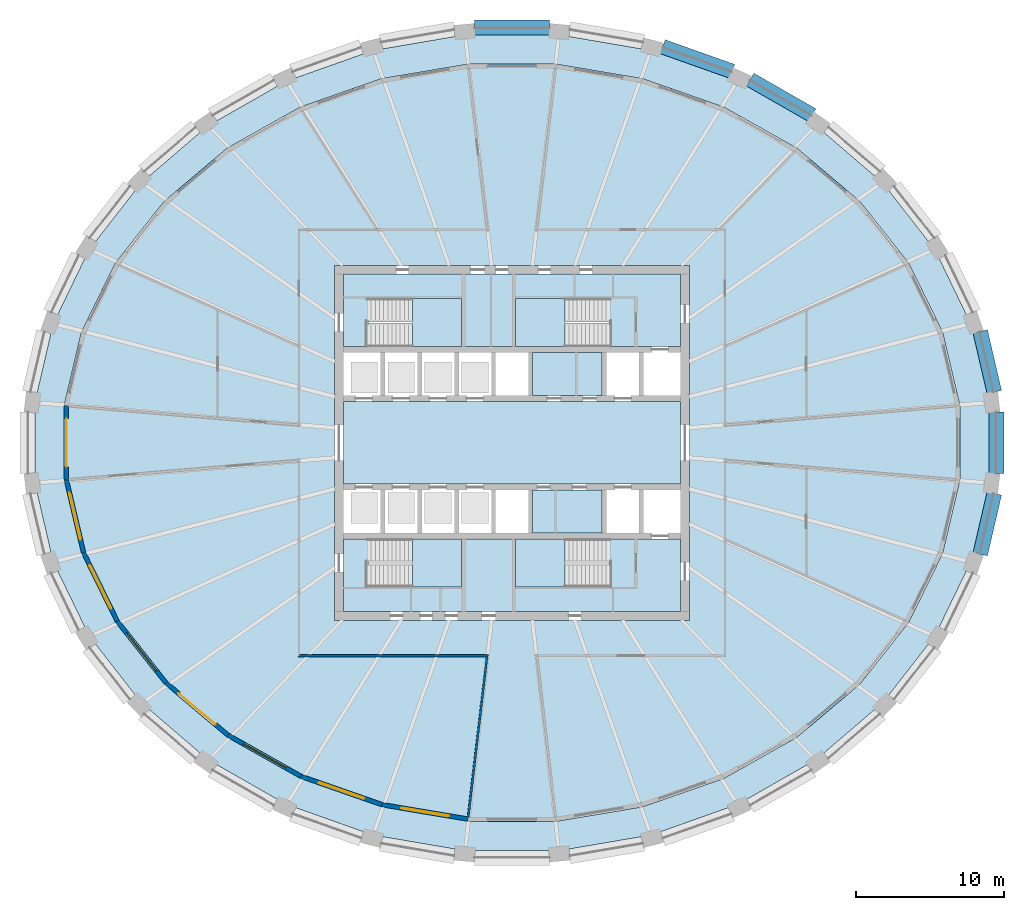
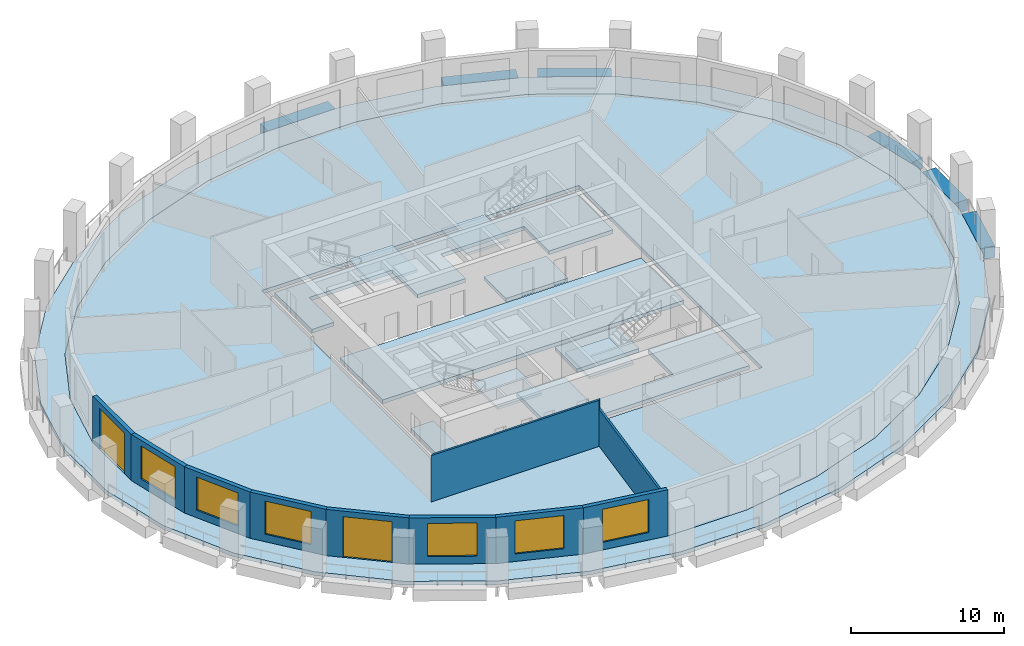
# One storey, part 2 of 10: 11 slabs, 10 walls, 6 beams, 6 windows, 2 doors, 8 openings, 4 elements without a shape of their own.
"""IFC4 building model written with IfcOpenShell, lengths in metres."""

from ifc_helpers import new_model, si_unit, direction, frame, frame_2d, origin, origin_2d, place, context, subcontext, project, spatial, polyline, rectangle, outline, extrude, material, layer, layer_set, material_profile, profile_set, type_object, element, fill, aggregate, save


model = new_model("IFC4")

# Units and contexts
model_context = context("Model", 3, precision=1e-05, world=origin(), true_north=direction((0.0, 1.0)))
body_context = subcontext(model_context, "Body", "Model", "MODEL_VIEW")
ifc_project = project(units=[si_unit("LENGTHUNIT", "METRE"), si_unit("AREAUNIT", "SQUARE_METRE"), si_unit("VOLUMEUNIT", "CUBIC_METRE"), si_unit("PLANEANGLEUNIT", "RADIAN"), si_unit("MASSUNIT", "GRAM", prefix="KILO")], contexts=[model_context])

# Site, building, storey
site_placement = place(None, origin())
site = spatial("IfcSite", under=ifc_project, at=site_placement, CompositionType="ELEMENT")
building_placement = place(site_placement, origin())
building = spatial("IfcBuilding", under=site, at=building_placement, Name="Halqa Exchange Tower", CompositionType="ELEMENT")
storey_placement = place(building_placement, frame((0.0, 0.0, 186.89990234375)))
storey = spatial("IfcBuildingStorey", under=building, at=storey_placement, Name="L42", CompositionType="ELEMENT", Elevation=186.89990234375)

# Beams
ifc_material_1 = material(Name="Concrete C60/75", Category="concrete")
ifc_material_profile = material_profile(ifc_material_1, rectangle(XDim=1.0, YDim=0.89990234375, at=origin_2d()), Name="1000 x 900")
ifc_profile_set = profile_set([ifc_material_profile], Name="Concrete C60/75")
beam_type = type_object("IfcBeamType", Name="RC spandrel beam 1000 x 900 C60/75", PredefinedType="SPANDREL", material=ifc_profile_set)
beam_1_placement = place(storey_placement, frame((32.60986328125, 3.424072265625, -0.449951171875), z_axis=(-0.226085562034, 0.974107447174, 0.0), x_axis=(-0.974107447174, -0.226085562034, 0.0)))
element("IfcBeam", 1, at=beam_1_placement, inside=storey, type_object=beam_type, Name="Spandrel 1", PredefinedType="SPANDREL", context=body_context, shape_type="SweptSolid", body=[
    extrude(rectangle(XDim=1.0, YDim=0.89990234375, at=origin_2d()), origin(), (0.0, 0.0, 1.0), 4.216796875),
])
beam_2_placement = place(storey_placement, frame((20.29931640625, 22.148193359375, -0.449951171875), z_axis=(-0.867742419962, 0.497014177462, 0.0), x_axis=(-0.497014177462, -0.867742419962, 0.0)))
element("IfcBeam", 2, at=beam_2_placement, inside=storey, type_object=beam_type, Name="Spandrel 5", PredefinedType="SPANDREL", context=body_context, shape_type="SweptSolid", body=[
    extrude(rectangle(XDim=1.0, YDim=0.89990234375, at=origin_2d()), origin(), (0.0, 0.0, 1.0), 4.8349609375),
])
beam_3_placement = place(storey_placement, frame((14.8828125, 25.11181640625, -0.449951171875), z_axis=(-0.942363905459, 0.3345897035, 0.0), x_axis=(-0.3345897035, -0.942363905459, 0.0)))
element("IfcBeam", 3, at=beam_3_placement, inside=storey, type_object=beam_type, Name="Spandrel 6", PredefinedType="SPANDREL", context=body_context, shape_type="SweptSolid", body=[
    extrude(rectangle(XDim=1.0, YDim=0.89990234375, at=origin_2d()), origin(), (0.0, 0.0, 1.0), 4.977783203125),
])
beam_4_placement = place(storey_placement, frame((2.551513671875, 28.082275390625, -0.449951171875), z_axis=(-1.0, 0.0, 0.0), x_axis=(0.0, -1.0, 0.0)))
element("IfcBeam", 4, at=beam_4_placement, inside=storey, type_object=beam_type, Name="Spandrel 8", PredefinedType="SPANDREL", context=body_context, shape_type="SweptSolid", body=[
    extrude(rectangle(XDim=1.0, YDim=0.89990234375, at=origin_2d()), origin(), (0.0, 0.0, 1.0), 5.10302734375),
])
beam_5_placement = place(storey_placement, frame((31.656494140625, -7.53173828125, -0.449951171875), z_axis=(0.226085562034, 0.974107447174, 0.0), x_axis=(-0.974107447174, 0.226085562034, 0.0)))
element("IfcBeam", 5, at=beam_5_placement, inside=storey, type_object=beam_type, Name="Spandrel 31", PredefinedType="SPANDREL", context=body_context, shape_type="SweptSolid", body=[
    extrude(rectangle(XDim=1.0, YDim=0.89990234375, at=origin_2d()), origin(), (0.0, 0.0, 1.0), 4.216796875),
])
beam_6_placement = place(storey_placement, frame((32.7626953125, -2.08984375, -0.449951171875), z_axis=(0.0, 1.0, 0.0), x_axis=(-1.0, 0.0, 0.0)))
element("IfcBeam", 6, at=beam_6_placement, inside=storey, type_object=beam_type, Name="Spandrel 32", PredefinedType="SPANDREL", context=body_context, shape_type="SweptSolid", body=[
    extrude(rectangle(XDim=1.0, YDim=0.89990234375, at=origin_2d()), origin(), (0.0, 0.0, 1.0), 4.1796875),
])

# Slabs
ifc_layer_1 = layer(ifc_material_1, 0.300048828125)
ifc_layer_set_1 = layer_set([ifc_layer_1], Name="Concrete C60/75")
slab_type_1 = type_object("IfcSlabType", Name="Core floor slab 300", PredefinedType="FLOOR", material=ifc_layer_set_1)
slab_1_placement = place(storey_placement, frame((0.0, 0.0, -0.2998046875)))
element("IfcSlab", 7, at=slab_1_placement, inside=storey, type_object=slab_type_1, Name="Core floor slab", PredefinedType="FLOOR", context=body_context, shape_type="SweptSolid", body=[
    extrude(outline(polyline([(-11.39990234375, 2.800048828125), (11.39990234375, 2.800048828125), (11.39990234375, -2.800048828125), (-11.39990234375, -2.800048828125), (-11.39990234375, 2.800048828125)])), origin(), (0.0, 0.0, 1.0), 0.2998046875),
])
slab_2_placement = place(storey_placement, frame((0.0, 0.0, -0.2998046875)))
element("IfcSlab", 8, at=slab_2_placement, inside=storey, type_object=slab_type_1, Name="Core floor slab", PredefinedType="FLOOR", context=body_context, shape_type="SweptSolid", body=[
    extrude(outline(polyline([(-11.39990234375, 11.39990234375), (11.39990234375, 11.39990234375), (11.39990234375, 6.5), (6.550048828125, 6.5), (6.550048828125, 9.75), (0.25, 9.75), (0.25, 6.5), (-3.39990234375, 6.5), (-3.39990234375, 9.75), (-9.699951171875, 9.75), (-9.699951171875, 6.5), (-11.39990234375, 6.5), (-11.39990234375, 11.39990234375)])), origin(), (0.0, 0.0, 1.0), 0.2998046875),
])
slab_3_placement = place(storey_placement, frame((0.0, 0.0, -0.2998046875)))
element("IfcSlab", 9, at=slab_3_placement, inside=storey, type_object=slab_type_1, Name="Core floor slab", PredefinedType="FLOOR", context=body_context, shape_type="SweptSolid", body=[
    extrude(outline(polyline([(-9.699951171875, -9.75), (-3.39990234375, -9.75), (-3.39990234375, -6.5), (0.25, -6.5), (0.25, -9.75), (6.550048828125, -9.75), (6.550048828125, -6.5), (11.39990234375, -6.5), (11.39990234375, -11.39990234375), (-11.39990234375, -11.39990234375), (-11.39990234375, -6.5), (-9.699951171875, -6.5), (-9.699951171875, -9.75)])), origin(), (0.0, 0.0, 1.0), 0.2998046875),
])
slab_4_placement = place(storey_placement, frame((0.0, 0.0, -0.2998046875)))
element("IfcSlab", 10, at=slab_4_placement, inside=storey, type_object=slab_type_1, Name="Core floor slab", PredefinedType="FLOOR", context=body_context, shape_type="SweptSolid", body=[
    extrude(outline(polyline([(6.10009765625, -3.199951171875), (6.10009765625, -6.10009765625), (1.39990234375, -6.10009765625), (1.39990234375, -3.199951171875), (6.10009765625, -3.199951171875)])), origin(), (0.0, 0.0, 1.0), 0.2998046875),
])
slab_5_placement = place(storey_placement, frame((0.0, 0.0, -0.2998046875)))
element("IfcSlab", 11, at=slab_5_placement, inside=storey, type_object=slab_type_1, Name="Core floor slab", PredefinedType="FLOOR", context=body_context, shape_type="SweptSolid", body=[
    extrude(outline(polyline([(6.10009765625, 6.10009765625), (6.10009765625, 3.199951171875), (1.39990234375, 3.199951171875), (1.39990234375, 6.10009765625), (6.10009765625, 6.10009765625)])), origin(), (0.0, 0.0, 1.0), 0.2998046875),
])
ifc_material_2 = material(Name="Concrete C40/50", Category="concrete")
ifc_layer_2 = layer(ifc_material_2, 0.300048828125)
ifc_layer_set_2 = layer_set([ifc_layer_2], Name="Concrete C40/50")
slab_type_2 = type_object("IfcSlabType", Name="RC floor slab 300", PredefinedType="FLOOR", material=ifc_layer_set_2)
slab_6_placement = place(storey_placement, frame((0.0, 0.0, -0.2998046875)))
element("IfcSlab", 12, at=slab_6_placement, inside=storey, type_object=slab_type_2, Name="Floor slab", PredefinedType="FLOOR", context=body_context, shape_type="SweptSolid", body=[
    extrude(outline(polyline([(30.276123046875, 2.5263671875), (29.1083984375, 7.480224609375), (26.819580078125, 12.14306640625), (23.50048828125, 16.3349609375), (19.280517578125, 19.89599609375), (14.322998046875, 22.691162109375), (8.818603515625, 24.615234375), (2.977294921875, 25.595703125), (-2.977294921875, 25.595703125), (-8.818603515625, 24.615234375), (-14.322998046875, 22.691162109375), (-19.280517578125, 19.89599609375), (-23.50048828125, 16.3349609375), (-26.819580078125, 12.14306640625), (-29.1083984375, 7.480224609375), (-30.276123046875, 2.5263671875), (-30.276123046875, -2.5263671875), (-29.1083984375, -7.480224609375), (-26.819580078125, -12.14306640625), (-23.50048828125, -16.3349609375), (-19.280517578125, -19.89599609375), (-14.322998046875, -22.691162109375), (-8.818603515625, -24.615234375), (-2.977294921875, -25.595703125), (2.977294921875, -25.595703125), (8.818603515625, -24.615234375), (14.322998046875, -22.691162109375), (19.280517578125, -19.89599609375), (23.50048828125, -16.3349609375), (26.819580078125, -12.14306640625), (29.1083984375, -7.480224609375), (30.276123046875, -2.5263671875), (30.276123046875, 2.5263671875)]), holes=[polyline([(-12.0, -12.0), (12.0, -12.0), (12.0, 12.0), (-12.0, 12.0), (-12.0, -12.0)])]), origin(), (0.0, 0.0, 1.0), 0.2998046875),
])
ifc_layer_3 = layer(ifc_material_2, 0.300048828125)
ifc_layer_set_3 = layer_set([ifc_layer_3], Name="Concrete C40/50")
slab_type_3 = type_object("IfcSlabType", Name="RC loggia slab 300", PredefinedType="FLOOR", material=ifc_layer_set_3)
slab_7_placement = place(storey_placement, frame((0.0, 0.0, -0.2998046875)))
element("IfcSlab", 13, at=slab_7_placement, inside=storey, type_object=slab_type_3, Name="Loggia slab", PredefinedType="FLOOR", context=body_context, shape_type="SweptSolid", body=[
    extrude(outline(polyline([(32.2626953125, 2.70849609375), (32.2626953125, -2.70849609375), (31.029052734375, -8.02392578125), (28.606689453125, -13.03662109375), (25.0849609375, -17.554443359375), (20.595458984375, -21.402587890625), (15.309326171875, -24.429931640625), (9.429931640625, -26.517333984375), (3.1845703125, -27.582275390625), (-3.1845703125, -27.582275390625), (-9.429931640625, -26.517333984375), (-15.309326171875, -24.429931640625), (-20.595458984375, -21.402587890625), (-25.0849609375, -17.554443359375), (-28.606689453125, -13.03662109375), (-31.029052734375, -8.02392578125), (-32.2626953125, -2.70849609375), (-32.2626953125, 2.70849609375), (-31.029052734375, 8.02392578125), (-28.606689453125, 13.03662109375), (-25.0849609375, 17.554443359375), (-20.595458984375, 21.402587890625), (-15.309326171875, 24.429931640625), (-9.429931640625, 26.517333984375), (-3.1845703125, 27.582275390625), (3.1845703125, 27.582275390625), (9.429931640625, 26.517333984375), (15.309326171875, 24.429931640625), (20.595458984375, 21.402587890625), (25.0849609375, 17.554443359375), (28.606689453125, 13.03662109375), (31.029052734375, 8.02392578125), (32.2626953125, 2.70849609375)]), holes=[polyline([(30.276123046875, 2.5263671875), (29.1083984375, 7.480224609375), (26.819580078125, 12.14306640625), (23.50048828125, 16.3349609375), (19.280517578125, 19.89599609375), (14.322998046875, 22.691162109375), (8.818603515625, 24.615234375), (2.977294921875, 25.595703125), (-2.977294921875, 25.595703125), (-8.818603515625, 24.615234375), (-14.322998046875, 22.691162109375), (-19.280517578125, 19.89599609375), (-23.50048828125, 16.3349609375), (-26.819580078125, 12.14306640625), (-29.1083984375, 7.480224609375), (-30.276123046875, 2.5263671875), (-30.276123046875, -2.5263671875), (-29.1083984375, -7.480224609375), (-26.819580078125, -12.14306640625), (-23.50048828125, -16.3349609375), (-19.280517578125, -19.89599609375), (-14.322998046875, -22.691162109375), (-8.818603515625, -24.615234375), (-2.977294921875, -25.595703125), (2.977294921875, -25.595703125), (8.818603515625, -24.615234375), (14.322998046875, -22.691162109375), (19.280517578125, -19.89599609375), (23.50048828125, -16.3349609375), (26.819580078125, -12.14306640625), (29.1083984375, -7.480224609375), (30.276123046875, -2.5263671875), (30.276123046875, 2.5263671875)])]), origin(), (0.0, 0.0, 1.0), 0.2998046875),
])

# Stair, slab
ifc_material_3 = material(Name="Concrete C30/37", Category="concrete")
stair_type = type_object("IfcStairType", Name="Exit stair 1500 wide", PredefinedType="HALF_TURN_STAIR", material=ifc_material_3)
stair_1_placement = place(storey_placement, origin())
stair_1 = element("IfcStair", 14, at=stair_1_placement, inside=storey, type_object=stair_type, Name="Exit stair ST1", PredefinedType="HALF_TURN_STAIR")
ifc_layer_4 = layer(ifc_material_3, 0.199951171875)
ifc_layer_set_4 = layer_set([ifc_layer_4], Name="Concrete C30/37")
slab_type_4 = type_object("IfcSlabType", Name="Stair landing 200 slab", PredefinedType="LANDING", material=ifc_layer_set_4)
slab_8_placement = place(storey_placement, frame((0.0, 0.0, 1.800048828125)))
slab_8 = element("IfcSlab", 15, at=slab_8_placement, type_object=slab_type_4, Name="ST1 landing 1", PredefinedType="LANDING", context=body_context, shape_type="SweptSolid", body=[
    extrude(outline(polyline([(-6.719970703125, 6.5), (-3.39990234375, 6.5), (-3.39990234375, 9.75), (-6.719970703125, 9.75), (-6.719970703125, 6.5)])), origin(), (0.0, 0.0, 1.0), 0.199951171875),
])
aggregate(stair_1, [slab_8])

stair_2_placement = place(storey_placement, origin())
stair_2 = element("IfcStair", 16, at=stair_2_placement, inside=storey, type_object=stair_type, Name="Exit stair ST2", PredefinedType="HALF_TURN_STAIR")
slab_9_placement = place(storey_placement, frame((0.0, 0.0, 1.800048828125)))
slab_9 = element("IfcSlab", 17, at=slab_9_placement, type_object=slab_type_4, Name="ST2 landing 1", PredefinedType="LANDING", context=body_context, shape_type="SweptSolid", body=[
    extrude(outline(polyline([(0.25, 6.5), (3.570068359375, 6.5), (3.570068359375, 9.75), (0.25, 9.75), (0.25, 6.5)])), origin(), (0.0, 0.0, 1.0), 0.199951171875),
])
aggregate(stair_2, [slab_9])

stair_3_placement = place(storey_placement, origin())
stair_3 = element("IfcStair", 18, at=stair_3_placement, inside=storey, type_object=stair_type, Name="Exit stair ST3", PredefinedType="HALF_TURN_STAIR")
slab_10_placement = place(storey_placement, frame((0.0, 0.0, 1.800048828125)))
slab_10 = element("IfcSlab", 19, at=slab_10_placement, type_object=slab_type_4, Name="ST3 landing 1", PredefinedType="LANDING", context=body_context, shape_type="SweptSolid", body=[
    extrude(outline(polyline([(-6.719970703125, -9.75), (-3.39990234375, -9.75), (-3.39990234375, -6.5), (-6.719970703125, -6.5), (-6.719970703125, -9.75)])), origin(), (0.0, 0.0, 1.0), 0.199951171875),
])
aggregate(stair_3, [slab_10])

stair_4_placement = place(storey_placement, origin())
stair_4 = element("IfcStair", 20, at=stair_4_placement, inside=storey, type_object=stair_type, Name="Exit stair ST4", PredefinedType="HALF_TURN_STAIR")
slab_11_placement = place(storey_placement, frame((0.0, 0.0, 1.800048828125)))
slab_11 = element("IfcSlab", 21, at=slab_11_placement, type_object=slab_type_4, Name="ST4 landing 1", PredefinedType="LANDING", context=body_context, shape_type="SweptSolid", body=[
    extrude(outline(polyline([(0.25, -9.75), (3.570068359375, -9.75), (3.570068359375, -6.5), (0.25, -6.5), (0.25, -9.75)])), origin(), (0.0, 0.0, 1.0), 0.199951171875),
])
aggregate(stair_4, [slab_11])

# Walls
ifc_material_4 = material(Name="Fire-rated gypsum board")
ifc_layer_5 = layer(ifc_material_4, 0.14990234375)
ifc_layer_set_5 = layer_set([ifc_layer_5], Name="Fire-rated gypsum board")
wall_type_1 = type_object("IfcWallType", Name="Fire partition EI 60 150", PredefinedType="PARTITIONING", material=ifc_layer_set_5)
wall_1_placement = place(storey_placement, frame((-2.953857421875, -25.29150390625, 0.0), z_axis=(0.0, 0.0, 1.0), x_axis=(0.116172056535, 0.993229104125, 0.0)))
element("IfcWall", 22, at=wall_1_placement, inside=storey, type_object=wall_type_1, Name="L42-PWL-011", PredefinedType="PARTITIONING", context=body_context, shape_type="SweptSolid", body=[
    extrude(outline(polyline([(11.0498046875, -0.074951171875), (11.0498046875, -0.07470703125), (10.9658203125, 0.0), (10.881591796875, 0.074951171875), (9.06787109375, 0.074951171875), (7.25439453125, 0.074951171875), (5.440673828125, 0.074951171875), (3.627197265625, 0.074951171875), (1.8134765625, 0.074951171875), (0.0, 0.074951171875), (0.0, -0.0361328125), (0.004638671875, -0.074951171875), (1.845458984375, -0.074951171875), (3.686279296875, -0.074951171875), (5.527099609375, -0.074951171875), (7.3681640625, -0.074951171875), (9.208984375, -0.074951171875), (11.0498046875, -0.074951171875)])), origin(), (0.0, 0.0, 1.0), 2.947021484375),
])
wall_2_placement = place(storey_placement, frame((-1.595703125, -14.39990234375, 0.0), z_axis=(0.0, 0.0, 1.0), x_axis=(-1.0, 0.0, 0.0)))
element("IfcWall", 23, at=wall_2_placement, inside=storey, type_object=wall_type_1, Name="L42-PWL-012", PredefinedType="PARTITIONING", context=body_context, shape_type="SweptSolid", body=[
    extrude(outline(polyline([(0.0, -0.074951171875), (1.818359375, -0.074951171875), (3.636962890625, -0.074951171875), (5.455322265625, -0.074951171875), (7.27392578125, -0.074951171875), (9.09228515625, -0.074951171875), (10.910888671875, -0.074951171875), (12.729248046875, -0.074951171875), (12.879150390625, 0.074951171875), (11.063232421875, 0.074951171875), (9.24755859375, 0.074951171875), (7.431640625, 0.074951171875), (5.615966796875, 0.074951171875), (3.800048828125, 0.074951171875), (1.984130859375, 0.074951171875), (0.16845703125, 0.074951171875), (0.0, -0.074951171875), (0.0, -0.074951171875)])), origin(), (0.0, 0.0, 1.0), 3.7001953125),
])

# Wall, opening, door
ifc_material_5 = material(Name="Limestone cladding", Category="masonry")
ifc_layer_6 = layer(ifc_material_5, 0.0400390625)
ifc_material_6 = material(Name="Ventilated cavity")
ifc_layer_7 = layer(ifc_material_6, 0.030029296875, ventilated=True)
ifc_material_7 = material(Name="Mineral wool insulation")
ifc_layer_8 = layer(ifc_material_7, 0.10009765625)
ifc_layer_9 = layer(ifc_material_3, 0.10009765625)
ifc_material_8 = material(Name="Internal plaster")
ifc_layer_10 = layer(ifc_material_8, 0.030029296875)
ifc_layer_set_6 = layer_set([ifc_layer_6, ifc_layer_7, ifc_layer_8, ifc_layer_9, ifc_layer_10], Name="Stone-faced insulated wall 300")
wall_type_2 = type_object("IfcWallType", Name="Stone-faced insulated wall 300", PredefinedType="STANDARD", material=ifc_layer_set_6)
wall_3_placement = place(storey_placement, frame((-30.126220703125, 2.5087890625, 0.0), z_axis=(0.0, 0.0, 1.0), x_axis=(0.0, -1.0, 0.0)))
wall_3 = element("IfcWall", 24, at=wall_3_placement, inside=storey, type_object=wall_type_2, Name="Glass-line wall 16", PredefinedType="STANDARD", context=body_context, shape_type="SweptSolid", body=[
    extrude(outline(polyline([(-0.017333984375, -0.14990234375), (5.034912109375, -0.14990234375), (5.000244140625, 0.14990234375), (0.017333984375, 0.14990234375), (-0.017333984375, -0.14990234375)])), origin(), (0.0, 0.0, 1.0), 3.7001953125),
])
opening_1_placement = place(wall_3_placement, frame((0.8837890625, 0.0, 0.0)))
opening_1 = element("IfcOpeningElement", 25, at=opening_1_placement, cuts=wall_3, Name="Opening LG-F3-04", PredefinedType="OPENING", context=body_context, shape_type="SweptSolid", body=[
    extrude(rectangle(XDim=3.25, YDim=3.25, at=frame_2d((1.625, 1.625))), frame((0.0, 0.162109375, 0.0), z_axis=(0.0, -1.0, 0.0), x_axis=(1.0, 0.0, 0.0)), (0.0, 0.0, 1.0), 0.323974609375),
])
ifc_material_9 = material(Name="Clear low-emissivity glass in aluminium frame", Category="aluminium")
door_type = type_object("IfcDoorType", Name="Glazed sliding loggia door 3250 x 3250", OperationType="DOUBLE_DOOR_SLIDING", PredefinedType="DOOR", material=ifc_material_9)
door_1_placement = place(opening_1_placement, origin())
door_1 = element("IfcDoor", 26, at=door_1_placement, inside=storey, type_object=door_type, Name="Loggia door 4", OperationType="DOUBLE_DOOR_SLIDING", OverallHeight=3.25, OverallWidth=3.25, PredefinedType="DOOR", context=body_context, shape_type="SweptSolid", body=[
    extrude(rectangle(XDim=3.25, YDim=3.25, at=frame_2d((1.625, 1.625))), frame((0.0, 0.02490234375, 0.0), z_axis=(0.0, -1.0, 0.0), x_axis=(1.0, 0.0, 0.0)), (0.0, 0.0, 1.0), 0.050048828125),
])
fill(opening_1, door_1)

# Wall, opening, window
wall_4_placement = place(storey_placement, frame((-30.126220703125, -2.5087890625, 0.0), z_axis=(0.0, 0.0, 1.0), x_axis=(0.229434992017, -0.973323987395, 0.0)))
wall_4 = element("IfcWall", 27, at=wall_4_placement, inside=storey, type_object=wall_type_2, Name="Glass-line wall 17", PredefinedType="STANDARD", context=body_context, shape_type="SweptSolid", body=[
    extrude(outline(polyline([(-0.017333984375, -0.14990234375), (5.072265625, -0.14990234375), (5.03857421875, 0.14990234375), (0.017333984375, 0.14990234375), (-0.017333984375, -0.14990234375)])), origin(), (0.0, 0.0, 1.0), 3.7001953125),
])
opening_2_placement = place(wall_4_placement, frame((0.902587890625, 0.0, 0.60009765625)))
opening_2 = element("IfcOpeningElement", 28, at=opening_2_placement, cuts=wall_4, Name="Opening W-F3-17", PredefinedType="OPENING", context=body_context, shape_type="SweptSolid", body=[
    extrude(rectangle(XDim=3.25, YDim=2.64990234375, at=frame_2d((1.625, 1.324951171875))), frame((0.0, 0.162109375, 0.0), z_axis=(0.0, -1.0, 0.0), x_axis=(1.0, 0.0, 0.0)), (0.0, 0.0, 1.0), 0.323974609375),
])
window_type = type_object("IfcWindowType", Name="Fixed clear glazed window 3250 x 2650", PartitioningType="TRIPLE_PANEL_VERTICAL", PredefinedType="WINDOW", material=ifc_material_9)
window_1_placement = place(opening_2_placement, origin())
window_1 = element("IfcWindow", 29, at=window_1_placement, inside=storey, type_object=window_type, Name="Window 3", OverallHeight=2.64990234375, OverallWidth=3.25, PartitioningType="TRIPLE_PANEL_VERTICAL", PredefinedType="WINDOW", context=body_context, shape_type="SweptSolid", body=[
    extrude(rectangle(XDim=3.25, YDim=2.64990234375, at=frame_2d((1.625, 1.324951171875))), frame((0.0, 0.030029296875, 0.0), z_axis=(0.0, -1.0, 0.0), x_axis=(1.0, 0.0, 0.0)), (0.0, 0.0, 1.0), 0.06005859375),
])
fill(opening_2, window_1)

wall_5_placement = place(storey_placement, frame((-28.96630859375, -7.429443359375, 0.0), z_axis=(0.0, 0.0, 1.0), x_axis=(0.440673883676, -0.897667270343, 0.0)))
wall_5 = element("IfcWall", 30, at=wall_5_placement, inside=storey, type_object=wall_type_2, Name="Glass-line wall 18", PredefinedType="STANDARD", context=body_context, shape_type="SweptSolid", body=[
    extrude(outline(polyline([(-0.016845703125, -0.14990234375), (5.17724609375, -0.14990234375), (5.14501953125, 0.14990234375), (0.016845703125, 0.14990234375), (-0.016845703125, -0.14990234375)])), origin(), (0.0, 0.0, 1.0), 3.7001953125),
])
opening_3_placement = place(wall_5_placement, frame((0.95556640625, 0.0, 0.60009765625)))
opening_3 = element("IfcOpeningElement", 31, at=opening_3_placement, cuts=wall_5, Name="Opening W-F3-18", PredefinedType="OPENING", context=body_context, shape_type="SweptSolid", body=[
    extrude(rectangle(XDim=3.25, YDim=2.64990234375, at=frame_2d((1.625, 1.324951171875))), frame((0.0, 0.162109375, 0.0), z_axis=(0.0, -1.0, 0.0), x_axis=(1.0, 0.0, 0.0)), (0.0, 0.0, 1.0), 0.323974609375),
])
window_2_placement = place(opening_3_placement, origin())
window_2 = element("IfcWindow", 32, at=window_2_placement, inside=storey, type_object=window_type, Name="Window 3", OverallHeight=2.64990234375, OverallWidth=3.25, PartitioningType="TRIPLE_PANEL_VERTICAL", PredefinedType="WINDOW", context=body_context, shape_type="SweptSolid", body=[
    extrude(rectangle(XDim=3.25, YDim=2.64990234375, at=frame_2d((1.625, 1.324951171875))), frame((0.0, 0.030029296875, 0.0), z_axis=(0.0, -1.0, 0.0), x_axis=(1.0, 0.0, 0.0)), (0.0, 0.0, 1.0), 0.06005859375),
])
fill(opening_3, window_2)

wall_6_placement = place(storey_placement, frame((-26.69189453125, -12.0625, 0.0), z_axis=(0.0, 0.0, 1.0), x_axis=(0.620766467446, -0.78399553117, 0.0)))
wall_6 = element("IfcWall", 33, at=wall_6_placement, inside=storey, type_object=wall_type_2, Name="Glass-line wall 19", PredefinedType="STANDARD", context=body_context, shape_type="SweptSolid", body=[
    extrude(outline(polyline([(-0.01611328125, -0.14990234375), (5.330810546875, -0.14990234375), (5.300537109375, 0.14990234375), (0.01611328125, 0.14990234375), (-0.01611328125, -0.14990234375)])), origin(), (0.0, 0.0, 1.0), 3.7001953125),
])
opening_4_placement = place(wall_6_placement, frame((1.032958984375, 0.0, 0.60009765625)))
opening_4 = element("IfcOpeningElement", 34, at=opening_4_placement, cuts=wall_6, Name="Opening W-F3-19", PredefinedType="OPENING", context=body_context, shape_type="SweptSolid", body=[
    extrude(rectangle(XDim=3.25, YDim=2.64990234375, at=frame_2d((1.625, 1.324951171875))), frame((0.0, 0.162109375, 0.0), z_axis=(0.0, -1.0, 0.0), x_axis=(1.0, 0.0, 0.0)), (0.0, 0.0, 1.0), 0.323974609375),
])
window_3_placement = place(opening_4_placement, origin())
window_3 = element("IfcWindow", 35, at=window_3_placement, inside=storey, type_object=window_type, Name="Window 3", OverallHeight=2.64990234375, OverallWidth=3.25, PartitioningType="TRIPLE_PANEL_VERTICAL", PredefinedType="WINDOW", context=body_context, shape_type="SweptSolid", body=[
    extrude(rectangle(XDim=3.25, YDim=2.64990234375, at=frame_2d((1.625, 1.324951171875))), frame((0.0, 0.030029296875, 0.0), z_axis=(0.0, -1.0, 0.0), x_axis=(1.0, 0.0, 0.0)), (0.0, 0.0, 1.0), 0.06005859375),
])
fill(opening_4, window_3)

# Wall, opening, door
wall_7_placement = place(storey_placement, frame((-23.39208984375, -16.22998046875, 0.0), z_axis=(0.0, 0.0, 1.0), x_axis=(0.764238764041, -0.64493341636, 0.0)))
wall_7 = element("IfcWall", 36, at=wall_7_placement, inside=storey, type_object=wall_type_2, Name="Glass-line wall 20", PredefinedType="STANDARD", context=body_context, shape_type="SweptSolid", body=[
    extrude(outline(polyline([(-0.01513671875, -0.14990234375), (5.506591796875, -0.14990234375), (5.478271484375, 0.14990234375), (0.01513671875, 0.14990234375), (-0.01513671875, -0.14990234375)])), origin(), (0.0, 0.0, 1.0), 3.7001953125),
])
opening_5_placement = place(wall_7_placement, frame((1.12109375, 0.0, 0.0)))
opening_5 = element("IfcOpeningElement", 37, at=opening_5_placement, cuts=wall_7, Name="Opening LG-F3-05", PredefinedType="OPENING", context=body_context, shape_type="SweptSolid", body=[
    extrude(rectangle(XDim=3.25, YDim=3.25, at=frame_2d((1.625, 1.625))), frame((0.0, 0.162109375, 0.0), z_axis=(0.0, -1.0, 0.0), x_axis=(1.0, 0.0, 0.0)), (0.0, 0.0, 1.0), 0.323974609375),
])
door_2_placement = place(opening_5_placement, origin())
door_2 = element("IfcDoor", 38, at=door_2_placement, inside=storey, type_object=door_type, Name="Loggia door 5", OperationType="DOUBLE_DOOR_SLIDING", OverallHeight=3.25, OverallWidth=3.25, PredefinedType="DOOR", context=body_context, shape_type="SweptSolid", body=[
    extrude(rectangle(XDim=3.25, YDim=3.25, at=frame_2d((1.625, 1.625))), frame((0.0, 0.02490234375, 0.0), z_axis=(0.0, -1.0, 0.0), x_axis=(1.0, 0.0, 0.0)), (0.0, 0.0, 1.0), 0.050048828125),
])
fill(opening_5, door_2)

# Wall, opening, window
wall_8_placement = place(storey_placement, frame((-19.194580078125, -19.772216796875, 0.0), z_axis=(0.0, 0.0, 1.0), x_axis=(0.871077775545, -0.491145099691, 0.0)))
wall_8 = element("IfcWall", 39, at=wall_8_placement, inside=storey, type_object=wall_type_2, Name="Glass-line wall 21", PredefinedType="STANDARD", context=body_context, shape_type="SweptSolid", body=[
    extrude(outline(polyline([(-0.01416015625, -0.14990234375), (5.67724609375, -0.14990234375), (5.650390625, 0.14990234375), (0.01416015625, 0.14990234375), (-0.01416015625, -0.14990234375)])), origin(), (0.0, 0.0, 1.0), 3.7001953125),
])
opening_6_placement = place(wall_8_placement, frame((1.206787109375, 0.0, 0.60009765625)))
opening_6 = element("IfcOpeningElement", 40, at=opening_6_placement, cuts=wall_8, Name="Opening W-F3-21", PredefinedType="OPENING", context=body_context, shape_type="SweptSolid", body=[
    extrude(rectangle(XDim=3.25, YDim=2.64990234375, at=frame_2d((1.625, 1.324951171875))), frame((0.0, 0.162109375, 0.0), z_axis=(0.0, -1.0, 0.0), x_axis=(1.0, 0.0, 0.0)), (0.0, 0.0, 1.0), 0.323974609375),
])
window_4_placement = place(opening_6_placement, origin())
window_4 = element("IfcWindow", 41, at=window_4_placement, inside=storey, type_object=window_type, Name="Window 3", OverallHeight=2.64990234375, OverallWidth=3.25, PartitioningType="TRIPLE_PANEL_VERTICAL", PredefinedType="WINDOW", context=body_context, shape_type="SweptSolid", body=[
    extrude(rectangle(XDim=3.25, YDim=2.64990234375, at=frame_2d((1.625, 1.324951171875))), frame((0.0, 0.030029296875, 0.0), z_axis=(0.0, -1.0, 0.0), x_axis=(1.0, 0.0, 0.0)), (0.0, 0.0, 1.0), 0.06005859375),
])
fill(opening_6, window_4)

wall_9_placement = place(storey_placement, frame((-14.260986328125, -22.553955078125, 0.0), z_axis=(0.0, 0.0, 1.0), x_axis=(0.943990724372, -0.329971987144, 0.0)))
wall_9 = element("IfcWall", 42, at=wall_9_placement, inside=storey, type_object=wall_type_2, Name="Glass-line wall 22", PredefinedType="STANDARD", context=body_context, shape_type="SweptSolid", body=[
    extrude(outline(polyline([(-0.013427734375, -0.14990234375), (5.81787109375, -0.14990234375), (5.79248046875, 0.14990234375), (0.013427734375, 0.14990234375), (-0.013427734375, -0.14990234375)])), origin(), (0.0, 0.0, 1.0), 3.7001953125),
])
opening_7_placement = place(wall_9_placement, frame((1.277587890625, 0.0, 0.60009765625)))
opening_7 = element("IfcOpeningElement", 43, at=opening_7_placement, cuts=wall_9, Name="Opening W-F3-22", PredefinedType="OPENING", context=body_context, shape_type="SweptSolid", body=[
    extrude(rectangle(XDim=3.25, YDim=2.64990234375, at=frame_2d((1.625, 1.324951171875))), frame((0.0, 0.162109375, 0.0), z_axis=(0.0, -1.0, 0.0), x_axis=(1.0, 0.0, 0.0)), (0.0, 0.0, 1.0), 0.323974609375),
])
window_5_placement = place(opening_7_placement, origin())
window_5 = element("IfcWindow", 44, at=window_5_placement, inside=storey, type_object=window_type, Name="Window 3", OverallHeight=2.64990234375, OverallWidth=3.25, PartitioningType="TRIPLE_PANEL_VERTICAL", PredefinedType="WINDOW", context=body_context, shape_type="SweptSolid", body=[
    extrude(rectangle(XDim=3.25, YDim=2.64990234375, at=frame_2d((1.625, 1.324951171875))), frame((0.0, 0.030029296875, 0.0), z_axis=(0.0, -1.0, 0.0), x_axis=(1.0, 0.0, 0.0)), (0.0, 0.0, 1.0), 0.06005859375),
])
fill(opening_7, window_5)

wall_10_placement = place(storey_placement, frame((-8.781005859375, -24.469482421875, 0.0), z_axis=(0.0, 0.0, 1.0), x_axis=(0.986201934369, -0.165546805001, 0.0)))
wall_10 = element("IfcWall", 45, at=wall_10_placement, inside=storey, type_object=wall_type_2, Name="Glass-line wall 23", PredefinedType="STANDARD", context=body_context, shape_type="SweptSolid", body=[
    extrude(outline(polyline([(-0.0126953125, -0.14990234375), (5.909912109375, -0.14990234375), (5.885009765625, 0.14990234375), (0.0126953125, 0.14990234375), (-0.0126953125, -0.14990234375)])), origin(), (0.0, 0.0, 1.0), 3.7001953125),
])
opening_8_placement = place(wall_10_placement, frame((1.32373046875, 0.0, 0.60009765625)))
opening_8 = element("IfcOpeningElement", 46, at=opening_8_placement, cuts=wall_10, Name="Opening W-F3-23", PredefinedType="OPENING", context=body_context, shape_type="SweptSolid", body=[
    extrude(rectangle(XDim=3.25, YDim=2.64990234375, at=frame_2d((1.625, 1.324951171875))), frame((0.0, 0.162109375, 0.0), z_axis=(0.0, -1.0, 0.0), x_axis=(1.0, 0.0, 0.0)), (0.0, 0.0, 1.0), 0.323974609375),
])
window_6_placement = place(opening_8_placement, origin())
window_6 = element("IfcWindow", 47, at=window_6_placement, inside=storey, type_object=window_type, Name="Window 3", OverallHeight=2.64990234375, OverallWidth=3.25, PartitioningType="TRIPLE_PANEL_VERTICAL", PredefinedType="WINDOW", context=body_context, shape_type="SweptSolid", body=[
    extrude(rectangle(XDim=3.25, YDim=2.64990234375, at=frame_2d((1.625, 1.324951171875))), frame((0.0, 0.030029296875, 0.0), z_axis=(0.0, -1.0, 0.0), x_axis=(1.0, 0.0, 0.0)), (0.0, 0.0, 1.0), 0.06005859375),
])
fill(opening_8, window_6)

save(model, "model.ifc")
